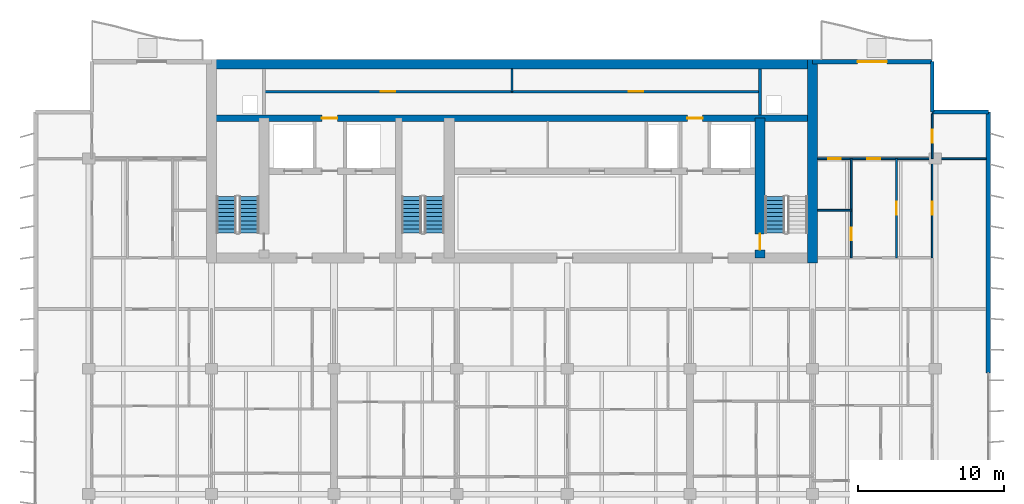
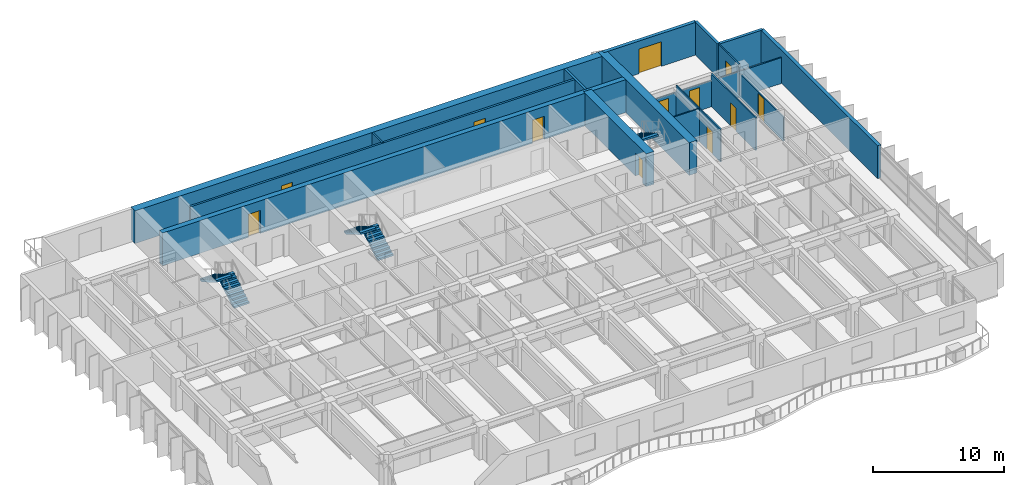
# One storey, part 14 of 19: 17 walls, 12 doors, 5 stair flights, 12 openings, 3 elements without a shape of their own.
"""IFC4 building model written with IfcOpenShell, lengths in metres."""

import ifcopenshell
import ifcopenshell.guid

model = None  # the IFC model being written
_history = None  # IfcOwnerHistory: only IFC2X3 demands one
_inside = {}  # id of a spatial element -> (the spatial element, [elements in it])
_under = {}  # id of a project, library or spatial element -> (it, [spatial elements below it])
_declared = {}  # id of a project -> (the project, [libraries it declares])
_typed = {}  # id of a type object -> (the type object, [elements of that type])
_made_of = {}  # id of a material, layer set ... -> (it, [elements and type objects made of it])


def new_model(schema):
    """Start an empty IFC model of exactly this schema.

    Asked for "IFC4X3", IfcOpenShell would pick the latest addendum, in which some entities
    have other attributes; the version numbers below select the first issue.
    IFC2X3 requires an IfcOwnerHistory on every rooted entity: one is made here for all.
    """
    global model, _history
    if schema == "IFC4X3":
        model = ifcopenshell.file(schema_version=(4, 3, 0, 0))
    else:
        model = ifcopenshell.file(schema=schema)
    _inside.clear()
    _under.clear()
    _declared.clear()
    _typed.clear()
    _made_of.clear()
    _history = None
    if model.schema == "IFC2X3":
        org = make("IfcOrganization", Name="unknown")
        user = make(
            "IfcPersonAndOrganization",
            ThePerson=make("IfcPerson", FamilyName="unknown"),
            TheOrganization=org,
        )
        app = make(
            "IfcApplication",
            ApplicationDeveloper=org,
            Version="unknown",
            ApplicationFullName="unknown",
            ApplicationIdentifier="unknown",
        )
        _history = make(
            "IfcOwnerHistory",
            OwningUser=user,
            OwningApplication=app,
            ChangeAction="ADDED",
            CreationDate=0,
        )
    return model


def make(cls, **values):
    """One entity of the class cls with the attributes given. An attribute that is None is left unset."""
    return model.create_entity(
        cls, **{name: value for name, value in values.items() if value is not None}
    )


def rooted(cls, **values):
    """An entity with a GlobalId (a new one), such as an element, a storey or a relation."""
    return make(cls, GlobalId=ifcopenshell.guid.new(), OwnerHistory=_history, **values)


def si_unit(unit_type, name, prefix=None):
    """IfcSIUnit, for example si_unit("LENGTHUNIT", "METRE", prefix="MILLI")."""
    return make("IfcSIUnit", UnitType=unit_type, Prefix=prefix, Name=name)


def assignment(units):
    """IfcUnitAssignment: the units of a project."""
    return None if units is None else make("IfcUnitAssignment", Units=units)


def point(xyz):
    """IfcCartesianPoint."""
    return None if xyz is None else make("IfcCartesianPoint", Coordinates=xyz)


def direction(xyz):
    """IfcDirection."""
    return None if xyz is None else make("IfcDirection", DirectionRatios=xyz)


def frame(location, z_axis=None, x_axis=None):
    """IfcAxis2Placement3D, a coordinate frame: its origin and axes. An axis left out is left unset."""
    return make(
        "IfcAxis2Placement3D",
        Location=point(location),
        Axis=direction(z_axis),
        RefDirection=direction(x_axis),
    )


def frame_2d(location, x_axis=None):
    """IfcAxis2Placement2D, a coordinate frame in the plane: its origin and x axis."""
    return make(
        "IfcAxis2Placement2D", Location=point(location), RefDirection=direction(x_axis)
    )


def origin():
    """The frame at (0, 0, 0) with its axes left unset."""
    return frame((0.0, 0.0, 0.0))


def place(relative_to, where):
    """IfcLocalPlacement: puts the frame where relative to a parent placement (None: the world)."""
    return make(
        "IfcLocalPlacement", PlacementRelTo=relative_to, RelativePlacement=where
    )


def context(
    kind, dimensions, precision=None, world=None, true_north=None, identifier=None
):
    """IfcGeometricRepresentationContext, for example the 3D "Model" context."""
    return make(
        "IfcGeometricRepresentationContext",
        ContextIdentifier=identifier,
        ContextType=kind,
        CoordinateSpaceDimension=dimensions,
        Precision=precision,
        WorldCoordinateSystem=world,
        TrueNorth=true_north,
    )


def subcontext(parent, identifier, kind, view, scale=None):
    """IfcGeometricRepresentationSubContext, for example "Body" below "Model"."""
    return make(
        "IfcGeometricRepresentationSubContext",
        ContextIdentifier=identifier,
        ContextType=kind,
        ParentContext=parent,
        TargetScale=scale,
        TargetView=view,
    )


def project(units=None, contexts=None):
    """IfcProject with its units and contexts."""
    return rooted(
        "IfcProject",
        Name="project",
        RepresentationContexts=contexts,
        UnitsInContext=assignment(units),
    )


def spatial(cls, under=None, at=None, **own):
    """A site, building, storey or space (cls), placed at a placement, below another one or the project."""
    s = rooted(cls, ObjectPlacement=at, **own)
    if under is not None:
        _under.setdefault(under.id(), (under, []))[1].append(s)
    return s


def polyline(points):
    """IfcPolyline through the points."""
    return make("IfcPolyline", Points=[point(p) for p in points])


def profile(cls, at=None, kind="AREA", **sizes):
    """A parametric profile (cls). Its sizes go by their IFC names, for example OverallWidth=200.0."""
    return make(cls, ProfileType=kind, Position=at, **sizes)


def rectangle(**sizes):
    """IfcRectangleProfileDef."""
    return profile("IfcRectangleProfileDef", **sizes)


def outline(outer, holes=None, kind="AREA"):
    """IfcArbitraryClosedProfileDef: a profile drawn as a closed curve; with holes, ...WithVoids."""
    if holes is None:
        return make("IfcArbitraryClosedProfileDef", ProfileType=kind, OuterCurve=outer)
    return make(
        "IfcArbitraryProfileDefWithVoids",
        ProfileType=kind,
        OuterCurve=outer,
        InnerCurves=holes,
    )


def extrude(swept, where, along, depth):
    """IfcExtrudedAreaSolid: the profile swept, set in the frame where, extruded along a direction by depth."""
    return make(
        "IfcExtrudedAreaSolid",
        SweptArea=swept,
        Position=where,
        ExtrudedDirection=direction(along),
        Depth=depth,
    )


def shape(context_of_items, identifier, shape_type, items):
    """IfcShapeRepresentation: the items that make up one representation, for example the "Body"."""
    return make(
        "IfcShapeRepresentation",
        ContextOfItems=context_of_items,
        RepresentationIdentifier=identifier,
        RepresentationType=shape_type,
        Items=items,
    )


def material(Name=None, Category=None):
    """IfcMaterial."""
    return make("IfcMaterial", Name=Name, Category=Category)


def layer(
    of_material, thickness, ventilated=None, Name=None, Category=None, Priority=None
):
    """IfcMaterialLayer: one layer of a wall or slab, of a material (None: an air gap)."""
    return make(
        "IfcMaterialLayer",
        Material=of_material,
        LayerThickness=thickness,
        IsVentilated=ventilated,
        Name=Name,
        Category=Category,
        Priority=Priority,
    )


def layer_set(layers, Name=None):
    """IfcMaterialLayerSet."""
    return make("IfcMaterialLayerSet", MaterialLayers=layers, LayerSetName=Name)


def made_of(thing, what):
    """Note that an element or type object is made of a material, layer set ...; save() writes the relation."""
    if what is not None:
        _made_of.setdefault(what.id(), (what, []))[1].append(thing)
    return thing


def type_object(cls, material=None, **own):
    """A type object (cls), such as IfcWallType, which elements share."""
    return made_of(rooted(cls, **own), material)


def element(
    cls,
    number,
    at=None,
    inside=None,
    cuts=None,
    type_object=None,
    material=None,
    context=None,
    identifier="Body",
    shape_type=None,
    held_by="IfcProductDefinitionShape",
    body=None,
    shapes=None,
    **own,
):
    """One element of the class cls, such as IfcWall. Its Tag is "e" and its number.

    at: its placement. inside: the storey or other place that contains it. cuts: it is an
    opening in that element (IfcRelVoidsElement). A single representation is given by context,
    identifier, shape_type and body (its items); several are given by shapes. held_by: the class
    of the entity that holds the representations. save() writes the other relations.
    """
    e = rooted(cls, Tag="e%d" % number, ObjectPlacement=at, **own)
    if body is not None:
        shapes = [shape(context, identifier, shape_type, body)]
    if shapes is not None:
        e.Representation = make(held_by, Representations=shapes)
    if inside is not None:
        _inside.setdefault(inside.id(), (inside, []))[1].append(e)
    if cuts is not None:
        rooted(
            "IfcRelVoidsElement", RelatingBuildingElement=cuts, RelatedOpeningElement=e
        )
    if type_object is not None:
        _typed.setdefault(type_object.id(), (type_object, []))[1].append(e)
    return made_of(e, material)


def fill(opening, filler):
    """IfcRelFillsElement: the door or window that sits in an opening."""
    return rooted(
        "IfcRelFillsElement",
        RelatingOpeningElement=opening,
        RelatedBuildingElement=filler,
    )


def aggregate(whole, parts):
    """IfcRelAggregates: a whole, such as a stair, and the parts it consists of."""
    return rooted("IfcRelAggregates", RelatingObject=whole, RelatedObjects=parts)


def save(model, path):
    """Write the relations noted so far, then the file.

    IfcRelAggregates (storeys below a building ...), IfcRelContainedInSpatialStructure (elements
    in a storey), IfcRelDefinesByType, IfcRelAssociatesMaterial and IfcRelDeclares: one each for
    every whole, place, type object, material and project.
    """
    for whole, parts in _under.values():
        aggregate(whole, parts)
    for where, things in _inside.values():
        rooted(
            "IfcRelContainedInSpatialStructure",
            RelatedElements=things,
            RelatingStructure=where,
        )
    for kind, things in _typed.values():
        rooted("IfcRelDefinesByType", RelatedObjects=things, RelatingType=kind)
    for what, things in _made_of.values():
        rooted("IfcRelAssociatesMaterial", RelatedObjects=things, RelatingMaterial=what)
    for by, libraries in _declared.values():
        rooted("IfcRelDeclares", RelatingContext=by, RelatedDefinitions=libraries)
    model.write(path)


model = new_model("IFC4")

# Units and contexts
model_context = context("Model", 3, precision=1e-05, world=origin(), true_north=direction((0.0, 1.0)))
body_context = subcontext(model_context, "Body", "Model", "MODEL_VIEW")
ifc_project = project(units=[si_unit("LENGTHUNIT", "METRE"), si_unit("AREAUNIT", "SQUARE_METRE"), si_unit("VOLUMEUNIT", "CUBIC_METRE"), si_unit("PLANEANGLEUNIT", "RADIAN"), si_unit("MASSUNIT", "GRAM", prefix="KILO")], contexts=[model_context])

# Site, building, storey
site_placement = place(None, origin())
site = spatial("IfcSite", under=ifc_project, at=site_placement, CompositionType="ELEMENT")
building_placement = place(site_placement, origin())
building = spatial("IfcBuilding", under=site, at=building_placement, Name="Caelmar Bay Residences", CompositionType="ELEMENT")
storey_placement = place(building_placement, frame((0.0, 0.0, 195.0)))
storey = spatial("IfcBuildingStorey", under=building, at=storey_placement, Name="L54", CompositionType="ELEMENT", Elevation=195.0)

# Wall
ifc_material_1 = material(Name="Concrete f'c 55 MPa (8,000 psi)", Category="concrete")
ifc_layer_1 = layer(ifc_material_1, 0.699951171875)
ifc_layer_set_1 = layer_set([ifc_layer_1], Name="Concrete f'c 55 MPa (8,000 psi)")
wall_type_1 = type_object("IfcWallType", Name="SW-COR-700", PredefinedType="SHEAR", material=ifc_layer_set_1)
wall_1_placement = place(storey_placement, frame((59.5, 36.64990234375, 0.0), z_axis=(0.0, 0.0, 1.0), x_axis=(0.0, 1.0, 0.0)))
element("IfcWall", 1, at=wall_1_placement, inside=storey, type_object=wall_type_1, Name="L54 Rear Core East Shear Wall", PredefinedType="SHEAR", context=body_context, shape_type="SweptSolid", body=[
    extrude(rectangle(XDim=13.9501953125, YDim=0.699951171875, at=frame_2d((6.97509765625, 0.0))), origin(), (0.0, 0.0, 1.0), 3.050048828125),
])

# Wall, opening, door
wall_2_placement = place(storey_placement, frame((55.89990234375, 37.0, 0.0), z_axis=(0.0, 0.0, 1.0), x_axis=(0.0, 1.0, 0.0)))
wall_2 = element("IfcWall", 2, at=wall_2_placement, inside=storey, type_object=wall_type_1, Name="L54 Core Structural Web Wall ST2W", PredefinedType="SHEAR", context=body_context, shape_type="SweptSolid", body=[
    extrude(rectangle(XDim=9.574951171875, YDim=0.699951171875, at=frame_2d((4.78759765625, 0.0))), origin(), (0.0, 0.0, 1.0), 3.050048828125),
])
opening_1_placement = place(wall_2_placement, frame((0.550048828125, 0.0, 0.0)))
opening_1 = element("IfcOpeningElement", 3, at=opening_1_placement, cuts=wall_2, Name="Opening D-L54-110", PredefinedType="OPENING", context=body_context, shape_type="SweptSolid", body=[
    extrude(rectangle(XDim=1.10009765625, YDim=2.14990234375, at=frame_2d((0.550048828125, 1.074951171875))), frame((0.0, 0.35986328125, 0.0), z_axis=(0.0, -1.0, 0.0), x_axis=(1.0, 0.0, 0.0)), (0.0, 0.0, 1.0), 0.719970703125),
])
ifc_material_2 = material(Name="Fire-rated steel and walnut architectural door assembly", Category="steel")
ifc_layer_2 = layer(ifc_material_2, 0.050048828125)
ifc_layer_set_2 = layer_set([ifc_layer_2], Name="Fire-rated steel and walnut architectural door assembly")
door_type_1 = type_object("IfcDoorType", Name="D-STAIR-1100", OperationType="NOTDEFINED", PredefinedType="DOOR", material=ifc_layer_set_2)
door_1_placement = place(opening_1_placement, origin())
door_1 = element("IfcDoor", 4, at=door_1_placement, inside=storey, type_object=door_type_1, Name="L54 Firefighting Lobby East Door", OperationType="SINGLE_SWING_RIGHT", OverallHeight=2.14990234375, OverallWidth=1.10009765625, PredefinedType="DOOR", context=body_context, shape_type="SweptSolid", body=[
    extrude(rectangle(XDim=1.10009765625, YDim=2.14990234375, at=frame_2d((0.550048828125, 1.074951171875))), frame((0.0, 0.02490234375, 0.0), z_axis=(0.0, -1.0, 0.0), x_axis=(1.0, 0.0, 0.0)), (0.0, 0.0, 1.0), 0.050048828125),
])
fill(opening_1, door_1)

# Wall
ifc_layer_3 = layer(ifc_material_1, 0.64990234375)
ifc_layer_set_3 = layer_set([ifc_layer_3], Name="Concrete f'c 55 MPa (8,000 psi)")
wall_type_2 = type_object("IfcWallType", Name="SW-CORN-650", PredefinedType="SHEAR", material=ifc_layer_set_3)
wall_3_placement = place(storey_placement, frame((17.949951171875, 50.27490234375, 0.0), z_axis=(0.0, 0.0, 1.0), x_axis=(1.0, 0.0, 0.0)))
element("IfcWall", 5, at=wall_3_placement, inside=storey, type_object=wall_type_2, Name="L54 Rear Core North Shear Wall", PredefinedType="SHEAR", context=body_context, shape_type="SweptSolid", body=[
    extrude(rectangle(XDim=41.900146484375, YDim=0.64990234375, at=frame_2d((20.9501953125, 0.0))), origin(), (0.0, 0.0, 1.0), 3.050048828125),
])

# Wall, openings, doors
ifc_material_3 = material(Name="Concrete f'c 70 MPa (10,000 psi)", Category="concrete")
ifc_layer_4 = layer(ifc_material_3, 0.449951171875)
ifc_layer_set_4 = layer_set([ifc_layer_4], Name="Concrete f'c 70 MPa (10,000 psi)")
wall_type_3 = type_object("IfcWallType", Name="SW-WEB-450", PredefinedType="SHEAR", material=ifc_layer_set_4)
wall_4_placement = place(storey_placement, frame((18.300048828125, 46.574951171875, 0.0), z_axis=(0.0, 0.0, 1.0), x_axis=(1.0, 0.0, 0.0)))
wall_4 = element("IfcWall", 6, at=wall_4_placement, inside=storey, type_object=wall_type_3, Name="L54 Core Structural Web Wall SRVS", PredefinedType="SHEAR", context=body_context, shape_type="SweptSolid", body=[
    extrude(rectangle(XDim=41.199951171875, YDim=0.449951171875, at=frame_2d((20.60009765625, 0.0))), origin(), (0.0, 0.0, 1.0), 3.050048828125),
])
opening_2_placement = place(wall_4_placement, frame((7.574951171875, 0.0, 0.0)))
opening_2 = element("IfcOpeningElement", 7, at=opening_2_placement, cuts=wall_4, Name="Opening D-L54-116", PredefinedType="OPENING", context=body_context, shape_type="SweptSolid", body=[
    extrude(rectangle(XDim=1.050048828125, YDim=2.14990234375, at=frame_2d((0.52490234375, 1.074951171875))), frame((0.0, 0.23486328125, 0.0), z_axis=(0.0, -1.0, 0.0), x_axis=(1.0, 0.0, 0.0)), (0.0, 0.0, 1.0), 0.469970703125),
])
opening_3_placement = place(wall_4_placement, frame((32.625, 0.0, 0.0)))
opening_3 = element("IfcOpeningElement", 8, at=opening_3_placement, cuts=wall_4, Name="Opening D-L54-117", PredefinedType="OPENING", context=body_context, shape_type="SweptSolid", body=[
    extrude(rectangle(XDim=1.050048828125, YDim=2.14990234375, at=frame_2d((0.52490234375, 1.074951171875))), frame((0.0, 0.23486328125, 0.0), z_axis=(0.0, -1.0, 0.0), x_axis=(1.0, 0.0, 0.0)), (0.0, 0.0, 1.0), 0.469970703125),
])
ifc_layer_5 = layer(ifc_material_2, 0.050048828125)
ifc_layer_set_5 = layer_set([ifc_layer_5], Name="Fire-rated steel and walnut architectural door assembly")
door_type_2 = type_object("IfcDoorType", Name="D-FSAE-1050", OperationType="NOTDEFINED", PredefinedType="DOOR", material=ifc_layer_set_5)
door_2_placement = place(opening_2_placement, origin())
door_2 = element("IfcDoor", 9, at=door_2_placement, inside=storey, type_object=door_type_2, Name="L54 Core Service Corridor Door", OperationType="SINGLE_SWING_RIGHT", OverallHeight=2.14990234375, OverallWidth=1.050048828125, PredefinedType="DOOR", context=body_context, shape_type="SweptSolid", body=[
    extrude(rectangle(XDim=1.050048828125, YDim=2.14990234375, at=frame_2d((0.52490234375, 1.074951171875))), frame((0.0, 0.02490234375, 0.0), z_axis=(0.0, -1.0, 0.0), x_axis=(1.0, 0.0, 0.0)), (0.0, 0.0, 1.0), 0.050048828125),
])
fill(opening_2, door_2)
door_3_placement = place(opening_3_placement, origin())
door_3 = element("IfcDoor", 10, at=door_3_placement, inside=storey, type_object=door_type_2, Name="L54 Core Service Corridor Door", OperationType="SINGLE_SWING_LEFT", OverallHeight=2.14990234375, OverallWidth=1.050048828125, PredefinedType="DOOR", context=body_context, shape_type="SweptSolid", body=[
    extrude(rectangle(XDim=1.050048828125, YDim=2.14990234375, at=frame_2d((0.52490234375, 1.074951171875))), frame((0.0, 0.02490234375, 0.0), z_axis=(0.0, -1.0, 0.0), x_axis=(1.0, 0.0, 0.0)), (0.0, 0.0, 1.0), 0.050048828125),
])
fill(opening_3, door_3)

ifc_material_4 = material(Name="Double-stud acoustic fire-rated gypsum partition 180 mm")
ifc_layer_6 = layer(ifc_material_4, 0.179931640625)
ifc_layer_set_6 = layer_set([ifc_layer_6], Name="Double-stud acoustic fire-rated gypsum partition 180 mm")
wall_type_4 = type_object("IfcWallType", Name="W-COR-200", PredefinedType="PARTITIONING", material=ifc_layer_set_6)
wall_5_placement = place(storey_placement, frame((21.89990234375, 48.39990234375, 0.0), z_axis=(0.0, 0.0, 1.0), x_axis=(1.0, 0.0, 0.0)))
wall_5 = element("IfcWall", 11, at=wall_5_placement, inside=storey, type_object=wall_type_4, Name="L54 Partition Wall H126", PredefinedType="PARTITIONING", context=body_context, shape_type="SweptSolid", body=[
    extrude(rectangle(XDim=34.0, YDim=0.179931640625, at=frame_2d((17.0, 0.0))), origin(), (0.0, 0.0, 1.0), 3.050048828125),
])
opening_4_placement = place(wall_5_placement, frame((8.0, 0.0, 0.0)))
opening_4 = element("IfcOpeningElement", 12, at=opening_4_placement, cuts=wall_5, Name="Opening D-L54-118", PredefinedType="OPENING", context=body_context, shape_type="SweptSolid", body=[
    extrude(rectangle(XDim=1.0, YDim=2.199951171875, at=frame_2d((0.5, 1.10009765625))), frame((0.0, 0.099853515625, 0.0), z_axis=(0.0, -1.0, 0.0), x_axis=(1.0, 0.0, 0.0)), (0.0, 0.0, 1.0), 0.199951171875),
])
opening_5_placement = place(wall_5_placement, frame((25.0, 0.0, 0.0)))
opening_5 = element("IfcOpeningElement", 13, at=opening_5_placement, cuts=wall_5, Name="Opening D-L54-119", PredefinedType="OPENING", context=body_context, shape_type="SweptSolid", body=[
    extrude(rectangle(XDim=1.0, YDim=2.199951171875, at=frame_2d((0.5, 1.10009765625))), frame((0.0, 0.099853515625, 0.0), z_axis=(0.0, -1.0, 0.0), x_axis=(1.0, 0.0, 0.0)), (0.0, 0.0, 1.0), 0.199951171875),
])
ifc_layer_7 = layer(ifc_material_2, 0.050048828125)
ifc_layer_set_7 = layer_set([ifc_layer_7], Name="Fire-rated steel and walnut architectural door assembly")
door_type_3 = type_object("IfcDoorType", Name="D-UNIT-1000", OperationType="NOTDEFINED", PredefinedType="DOOR", material=ifc_layer_set_7)
door_4_placement = place(opening_4_placement, origin())
door_4 = element("IfcDoor", 14, at=door_4_placement, inside=storey, type_object=door_type_3, Name="L54 Building Management Office Door", OperationType="SINGLE_SWING_RIGHT", OverallHeight=2.199951171875, OverallWidth=1.0, PredefinedType="DOOR", context=body_context, shape_type="SweptSolid", body=[
    extrude(rectangle(XDim=1.0, YDim=2.199951171875, at=frame_2d((0.5, 1.10009765625))), frame((0.0, 0.02490234375, 0.0), z_axis=(0.0, -1.0, 0.0), x_axis=(1.0, 0.0, 0.0)), (0.0, 0.0, 1.0), 0.050048828125),
])
fill(opening_4, door_4)
door_5_placement = place(opening_5_placement, origin())
door_5 = element("IfcDoor", 15, at=door_5_placement, inside=storey, type_object=door_type_3, Name="L54 Concierge Operations Office Door", OperationType="SINGLE_SWING_LEFT", OverallHeight=2.199951171875, OverallWidth=1.0, PredefinedType="DOOR", context=body_context, shape_type="SweptSolid", body=[
    extrude(rectangle(XDim=1.0, YDim=2.199951171875, at=frame_2d((0.5, 1.10009765625))), frame((0.0, 0.02490234375, 0.0), z_axis=(0.0, -1.0, 0.0), x_axis=(1.0, 0.0, 0.0)), (0.0, 0.0, 1.0), 0.050048828125),
])
fill(opening_5, door_5)

# Walls
ifc_material_5 = material(Name="Precast concrete f'c 40 MPa (6,000 psi)", Category="concrete")
ifc_layer_8 = layer(ifc_material_5, 0.25)
ifc_layer_set_8 = layer_set([ifc_layer_8], Name="Precast concrete f'c 40 MPa (6,000 psi)")
wall_type_5 = type_object("IfcWallType", Name="W-EXT-250", PredefinedType="ELEMENTEDWALL", material=ifc_layer_set_8)
wall_6_placement = place(storey_placement, frame((67.699951171875, 50.449951171875, 0.0), z_axis=(0.0, 0.0, 1.0), x_axis=(0.0, -1.0, 0.0)))
element("IfcWall", 16, at=wall_6_placement, inside=storey, type_object=wall_type_5, Name="L54 NNE-V Notch Wall", PredefinedType="ELEMENTEDWALL", context=body_context, shape_type="SweptSolid", body=[
    extrude(rectangle(XDim=3.449951171875, YDim=0.25, at=frame_2d((1.72509765625, 0.0))), origin(), (0.0, 0.0, 1.0), 3.050048828125),
])
wall_7_placement = place(storey_placement, frame((67.699951171875, 47.0, 0.0), z_axis=(0.0, 0.0, 1.0), x_axis=(1.0, 0.0, 0.0)))
element("IfcWall", 17, at=wall_7_placement, inside=storey, type_object=wall_type_5, Name="L54 NNE-H Notch Wall", PredefinedType="ELEMENTEDWALL", context=body_context, shape_type="SweptSolid", body=[
    extrude(rectangle(XDim=3.85009765625, YDim=0.25, at=frame_2d((1.925048828125, 0.0))), origin(), (0.0, 0.0, 1.0), 3.050048828125),
])
ifc_layer_9 = layer(ifc_material_5, 0.300048828125)
ifc_layer_set_9 = layer_set([ifc_layer_9], Name="Precast concrete f'c 40 MPa (6,000 psi)")
wall_type_6 = type_object("IfcWallType", Name="W-EXT-300", PredefinedType="STANDARD", material=ifc_layer_set_9)
wall_8_placement = place(storey_placement, frame((71.550048828125, 47.0, 0.0), z_axis=(0.0, 0.0, 1.0), x_axis=(0.0, -1.0, 0.0)))
element("IfcWall", 18, at=wall_8_placement, inside=storey, type_object=wall_type_6, Name="L54 East Rear Exterior Wall", PredefinedType="STANDARD", context=body_context, shape_type="SweptSolid", body=[
    extrude(rectangle(XDim=17.89990234375, YDim=0.300048828125, at=frame_2d((8.949951171875, 0.0))), origin(), (0.0, 0.0, 1.0), 3.050048828125),
])

# Wall, opening, door
wall_9_placement = place(storey_placement, frame((59.5, 50.449951171875, 0.0), z_axis=(0.0, 0.0, 1.0), x_axis=(1.0, 0.0, 0.0)))
wall_9 = element("IfcWall", 19, at=wall_9_placement, inside=storey, type_object=wall_type_6, Name="L54 North-East Wing Exterior Wall", PredefinedType="STANDARD", context=body_context, shape_type="SweptSolid", body=[
    extrude(rectangle(XDim=8.199951171875, YDim=0.300048828125, at=frame_2d((4.10009765625, 0.0))), origin(), (0.0, 0.0, 1.0), 3.050048828125),
])
opening_6_placement = place(wall_9_placement, frame((3.10009765625, 0.0, 0.0)))
opening_6 = element("IfcOpeningElement", 20, at=opening_6_placement, cuts=wall_9, Name="Opening L54-BDNE", PredefinedType="OPENING", context=body_context, shape_type="SweptSolid", body=[
    extrude(rectangle(XDim=2.0, YDim=2.300048828125, at=frame_2d((1.0, 1.14990234375))), frame((0.0, 0.159912109375, 0.0), z_axis=(0.0, -1.0, 0.0), x_axis=(1.0, 0.0, 0.0)), (0.0, 0.0, 1.0), 0.320068359375),
])
ifc_material_6 = material(Name="Anodised bronze thermally broken sliding glass door", Category="glass")
ifc_layer_10 = layer(ifc_material_6, 0.050048828125)
ifc_layer_set_10 = layer_set([ifc_layer_10], Name="Anodised bronze thermally broken sliding glass door")
door_type_4 = type_object("IfcDoorType", Name="D-BAL-2000", OperationType="DOUBLE_DOOR_SLIDING", PredefinedType="DOOR", material=ifc_layer_set_10)
door_6_placement = place(opening_6_placement, origin())
door_6 = element("IfcDoor", 21, at=door_6_placement, inside=storey, type_object=door_type_4, Name="L54 North-East Balcony Door", OperationType="DOUBLE_DOOR_SLIDING", OverallHeight=2.300048828125, OverallWidth=2.0, PredefinedType="DOOR", context=body_context, shape_type="SweptSolid", body=[
    extrude(rectangle(XDim=2.0, YDim=2.300048828125, at=frame_2d((1.0, 1.14990234375))), frame((0.0, 0.02490234375, 0.0), z_axis=(0.0, -1.0, 0.0), x_axis=(1.0, 0.0, 0.0)), (0.0, 0.0, 1.0), 0.050048828125),
])
fill(opening_6, door_6)

# Wall
ifc_material_7 = material(Name="Fire-rated masonry and gypsum shaftliner assembly 200 mm", Category="masonry")
ifc_layer_11 = layer(ifc_material_7, 0.199951171875)
ifc_layer_set_11 = layer_set([ifc_layer_11], Name="Fire-rated masonry and gypsum shaftliner assembly 200 mm")
wall_type_7 = type_object("IfcWallType", Name="W-FSAE-200", PredefinedType="PARTITIONING", material=ifc_layer_set_11)
wall_10_placement = place(storey_placement, frame((55.89990234375, 46.794921875, 0.0), z_axis=(0.0, 0.0, 1.0), x_axis=(0.0, 1.0, 0.0)))
element("IfcWall", 22, at=wall_10_placement, inside=storey, type_object=wall_type_7, Name="L54 Partition Wall V072", PredefinedType="PARTITIONING", context=body_context, shape_type="SweptSolid", body=[
    extrude(rectangle(XDim=3.16015625, YDim=0.199951171875, at=frame_2d((1.580078125, 0.0))), origin(), (0.0, 0.0, 1.0), 3.050048828125),
])

# Wall, opening, door
ifc_material_8 = material(Name="Anodised bronze framed acoustic sliding study partition 100 mm")
ifc_layer_12 = layer(ifc_material_8, 0.10009765625)
ifc_layer_set_12 = layer_set([ifc_layer_12], Name="Anodised bronze framed acoustic sliding study partition 100 mm")
wall_type_8 = type_object("IfcWallType", Name="W-MOV-100", PredefinedType="MOVABLE", material=ifc_layer_set_12)
wall_11_placement = place(storey_placement, frame((67.699951171875, 37.0048828125, 0.0), z_axis=(0.0, 0.0, 1.0), x_axis=(0.0, 1.0, 0.0)))
wall_11 = element("IfcWall", 23, at=wall_11_placement, inside=storey, type_object=wall_type_8, Name="L54 Partition Wall V098", PredefinedType="MOVABLE", context=body_context, shape_type="SweptSolid", body=[
    extrude(rectangle(XDim=6.795166015625, YDim=0.10009765625, at=frame_2d((3.3974609375, 0.0))), origin(), (0.0, 0.0, 1.0), 2.262939453125),
])
opening_7_placement = place(wall_11_placement, frame((2.947509765625, 0.0, 0.0)))
opening_7 = element("IfcOpeningElement", 24, at=opening_7_placement, cuts=wall_11, Name="Opening D-L54-171", PredefinedType="OPENING", context=body_context, shape_type="SweptSolid", body=[
    extrude(rectangle(XDim=0.89990234375, YDim=2.14990234375, at=frame_2d((0.449951171875, 1.074951171875))), frame((0.0, 0.06005859375, 0.0), z_axis=(0.0, -1.0, 0.0), x_axis=(1.0, 0.0, 0.0)), (0.0, 0.0, 1.0), 0.1201171875),
])
ifc_material_9 = material(Name="Solid walnut timber interior door leaf and frame", Category="wood")
ifc_layer_13 = layer(ifc_material_9, 0.050048828125)
ifc_layer_set_13 = layer_set([ifc_layer_13], Name="Solid walnut timber interior door leaf and frame")
door_type_5 = type_object("IfcDoorType", Name="D-ROOM-900", OperationType="NOTDEFINED", PredefinedType="DOOR", material=ifc_layer_set_13)
door_7_placement = place(opening_7_placement, origin())
door_7 = element("IfcDoor", 25, at=door_7_placement, inside=storey, type_object=door_type_5, Name="L54 Residence EA Sun Study Door", OperationType="SINGLE_SWING_LEFT", OverallHeight=2.14990234375, OverallWidth=0.89990234375, PredefinedType="DOOR", context=body_context, shape_type="SweptSolid", body=[
    extrude(rectangle(XDim=0.89990234375, YDim=2.14990234375, at=frame_2d((0.449951171875, 1.074951171875))), frame((0.0, 0.02490234375, 0.0), z_axis=(0.0, -1.0, 0.0), x_axis=(1.0, 0.0, 0.0)), (0.0, 0.0, 1.0), 0.050048828125),
])
fill(opening_7, door_7)

# Wall
ifc_material_10 = material(Name="Acoustic metal-stud gypsum partition 120 mm")
ifc_layer_14 = layer(ifc_material_10, 0.1201171875)
ifc_layer_set_14 = layer_set([ifc_layer_14], Name="Acoustic metal-stud gypsum partition 120 mm")
wall_type_9 = type_object("IfcWallType", Name="W-PRT-120", PredefinedType="PARTITIONING", material=ifc_layer_set_14)
wall_12_placement = place(storey_placement, frame((38.89990234375, 48.39990234375, 0.0), z_axis=(0.0, 0.0, 1.0), x_axis=(0.0, 1.0, 0.0)))
element("IfcWall", 26, at=wall_12_placement, inside=storey, type_object=wall_type_9, Name="L54 Partition Wall V045", PredefinedType="PARTITIONING", context=body_context, shape_type="SweptSolid", body=[
    extrude(rectangle(XDim=1.55517578125, YDim=0.1201171875, at=frame_2d((0.777587890625, 0.0))), origin(), (0.0, 0.0, 1.0), 3.050048828125),
])

# Wall, opening, door
wall_13_placement = place(storey_placement, frame((62.14990234375, 37.0, 0.0), z_axis=(0.0, 0.0, 1.0), x_axis=(0.0, 1.0, 0.0)))
wall_13 = element("IfcWall", 27, at=wall_13_placement, inside=storey, type_object=wall_type_9, Name="L54 Partition Wall V081", PredefinedType="PARTITIONING", context=body_context, shape_type="SweptSolid", body=[
    extrude(rectangle(XDim=6.800048828125, YDim=0.1201171875, at=frame_2d((3.39990234375, 0.0))), origin(), (0.0, 0.0, 1.0), 3.050048828125),
])
opening_8_placement = place(wall_13_placement, frame((1.20703125, 0.0, 0.0)))
opening_8 = element("IfcOpeningElement", 28, at=opening_8_placement, cuts=wall_13, Name="Opening D-L54-169", PredefinedType="OPENING", context=body_context, shape_type="SweptSolid", body=[
    extrude(rectangle(XDim=0.85009765625, YDim=2.10009765625, at=frame_2d((0.425048828125, 1.050048828125))), frame((0.0, 0.070068359375, 0.0), z_axis=(0.0, -1.0, 0.0), x_axis=(1.0, 0.0, 0.0)), (0.0, 0.0, 1.0), 0.14013671875),
])
ifc_layer_15 = layer(ifc_material_9, 0.050048828125)
ifc_layer_set_15 = layer_set([ifc_layer_15], Name="Solid walnut timber interior door leaf and frame")
door_type_6 = type_object("IfcDoorType", Name="D-BATH-850", OperationType="NOTDEFINED", PredefinedType="DOOR", material=ifc_layer_set_15)
door_8_placement = place(opening_8_placement, origin())
door_8 = element("IfcDoor", 29, at=door_8_placement, inside=storey, type_object=door_type_6, Name="L54 Residence EA Walk-In Closet Door", OperationType="SINGLE_SWING_LEFT", OverallHeight=2.10009765625, OverallWidth=0.85009765625, PredefinedType="DOOR", context=body_context, shape_type="SweptSolid", body=[
    extrude(rectangle(XDim=0.85009765625, YDim=2.10009765625, at=frame_2d((0.425048828125, 1.050048828125))), frame((0.0, 0.02490234375, 0.0), z_axis=(0.0, -1.0, 0.0), x_axis=(1.0, 0.0, 0.0)), (0.0, 0.0, 1.0), 0.050048828125),
])
fill(opening_8, door_8)

wall_14_placement = place(storey_placement, frame((65.258056640625, 37.0, 0.0), z_axis=(0.0, 0.0, 1.0), x_axis=(0.0, 1.0, 0.0)))
wall_14 = element("IfcWall", 30, at=wall_14_placement, inside=storey, type_object=wall_type_9, Name="L54 Partition Wall V088", PredefinedType="PARTITIONING", context=body_context, shape_type="SweptSolid", body=[
    extrude(rectangle(XDim=6.800048828125, YDim=0.1201171875, at=frame_2d((3.39990234375, 0.0))), origin(), (0.0, 0.0, 1.0), 3.050048828125),
])
opening_9_placement = place(wall_14_placement, frame((2.949951171875, 0.0, 0.0)))
opening_9 = element("IfcOpeningElement", 31, at=opening_9_placement, cuts=wall_14, Name="Opening D-L54-166", PredefinedType="OPENING", context=body_context, shape_type="SweptSolid", body=[
    extrude(rectangle(XDim=0.89990234375, YDim=2.14990234375, at=frame_2d((0.449951171875, 1.074951171875))), frame((0.0, 0.070068359375, 0.0), z_axis=(0.0, -1.0, 0.0), x_axis=(1.0, 0.0, 0.0)), (0.0, 0.0, 1.0), 0.14013671875),
])
door_9_placement = place(opening_9_placement, origin())
door_9 = element("IfcDoor", 32, at=door_9_placement, inside=storey, type_object=door_type_5, Name="L54 Residence EA Dining Room Door", OperationType="SINGLE_SWING_RIGHT", OverallHeight=2.14990234375, OverallWidth=0.89990234375, PredefinedType="DOOR", context=body_context, shape_type="SweptSolid", body=[
    extrude(rectangle(XDim=0.89990234375, YDim=2.14990234375, at=frame_2d((0.449951171875, 1.074951171875))), frame((0.0, 0.02490234375, 0.0), z_axis=(0.0, -1.0, 0.0), x_axis=(1.0, 0.0, 0.0)), (0.0, 0.0, 1.0), 0.050048828125),
])
fill(opening_9, door_9)

wall_15_placement = place(storey_placement, frame((67.699951171875, 43.804931640625, 0.0), z_axis=(0.0, 0.0, 1.0), x_axis=(0.0, 1.0, 0.0)))
wall_15 = element("IfcWall", 33, at=wall_15_placement, inside=storey, type_object=wall_type_9, Name="L54 Partition Wall V099", PredefinedType="PARTITIONING", context=body_context, shape_type="SweptSolid", body=[
    extrude(rectangle(XDim=3.074951171875, YDim=0.1201171875, at=frame_2d((1.53759765625, 0.0))), origin(), (0.0, 0.0, 1.0), 3.050048828125),
])
opening_10_placement = place(wall_15_placement, frame((1.08740234375, 0.0, 0.0)))
opening_10 = element("IfcOpeningElement", 34, at=opening_10_placement, cuts=wall_15, Name="Opening D-L54-172", PredefinedType="OPENING", context=body_context, shape_type="SweptSolid", body=[
    extrude(rectangle(XDim=0.89990234375, YDim=2.14990234375, at=frame_2d((0.449951171875, 1.074951171875))), frame((0.0, 0.070068359375, 0.0), z_axis=(0.0, -1.0, 0.0), x_axis=(1.0, 0.0, 0.0)), (0.0, 0.0, 1.0), 0.14013671875),
])
door_10_placement = place(opening_10_placement, origin())
door_10 = element("IfcDoor", 35, at=door_10_placement, inside=storey, type_object=door_type_5, Name="L54 Residence EA North Sitting Alcove Door", OperationType="SINGLE_SWING_RIGHT", OverallHeight=2.14990234375, OverallWidth=0.89990234375, PredefinedType="DOOR", context=body_context, shape_type="SweptSolid", body=[
    extrude(rectangle(XDim=0.89990234375, YDim=2.14990234375, at=frame_2d((0.449951171875, 1.074951171875))), frame((0.0, 0.02490234375, 0.0), z_axis=(0.0, -1.0, 0.0), x_axis=(1.0, 0.0, 0.0)), (0.0, 0.0, 1.0), 0.050048828125),
])
fill(opening_10, door_10)

# Wall
wall_16_placement = place(storey_placement, frame((59.844970703125, 40.263916015625, 0.0), z_axis=(0.0, 0.0, 1.0), x_axis=(1.0, 0.0, 0.0)))
element("IfcWall", 36, at=wall_16_placement, inside=storey, type_object=wall_type_9, Name="L54 Partition Wall H123", PredefinedType="PARTITIONING", context=body_context, shape_type="SweptSolid", body=[
    extrude(rectangle(XDim=2.304931640625, YDim=0.1201171875, at=frame_2d((1.15234375, 0.0))), origin(), (0.0, 0.0, 1.0), 3.050048828125),
])

# Wall, openings, doors
wall_17_placement = place(storey_placement, frame((59.844970703125, 43.800048828125, 0.0), z_axis=(0.0, 0.0, 1.0), x_axis=(1.0, 0.0, 0.0)))
wall_17 = element("IfcWall", 37, at=wall_17_placement, inside=storey, type_object=wall_type_9, Name="L54 Partition Wall H125", PredefinedType="PARTITIONING", context=body_context, shape_type="SweptSolid", body=[
    extrude(rectangle(XDim=11.56005859375, YDim=0.1201171875, at=frame_2d((5.780029296875, 0.0))), origin(), (0.0, 0.0, 1.0), 2.41796875),
])
opening_11_placement = place(wall_17_placement, frame((3.408935546875, 0.0, 0.0)))
opening_11 = element("IfcOpeningElement", 38, at=opening_11_placement, cuts=wall_17, Name="Opening D-L54-168", PredefinedType="OPENING", context=body_context, shape_type="SweptSolid", body=[
    extrude(rectangle(XDim=0.89990234375, YDim=2.14990234375, at=frame_2d((0.449951171875, 1.074951171875))), frame((0.0, 0.070068359375, 0.0), z_axis=(0.0, -1.0, 0.0), x_axis=(1.0, 0.0, 0.0)), (0.0, 0.0, 1.0), 0.14013671875),
])
opening_12_placement = place(wall_17_placement, frame((0.7275390625, 0.0, 0.0)))
opening_12 = element("IfcOpeningElement", 39, at=opening_12_placement, cuts=wall_17, Name="Opening D-L54-170", PredefinedType="OPENING", context=body_context, shape_type="SweptSolid", body=[
    extrude(rectangle(XDim=0.85009765625, YDim=2.10009765625, at=frame_2d((0.425048828125, 1.050048828125))), frame((0.0, 0.070068359375, 0.0), z_axis=(0.0, -1.0, 0.0), x_axis=(1.0, 0.0, 0.0)), (0.0, 0.0, 1.0), 0.14013671875),
])
door_11_placement = place(opening_12_placement, origin())
door_11 = element("IfcDoor", 40, at=door_11_placement, inside=storey, type_object=door_type_6, Name="L54 Residence EA Bathroom Door", OperationType="SINGLE_SWING_RIGHT", OverallHeight=2.10009765625, OverallWidth=0.85009765625, PredefinedType="DOOR", context=body_context, shape_type="SweptSolid", body=[
    extrude(rectangle(XDim=0.85009765625, YDim=2.10009765625, at=frame_2d((0.425048828125, 1.050048828125))), frame((0.0, 0.02490234375, 0.0), z_axis=(0.0, -1.0, 0.0), x_axis=(1.0, 0.0, 0.0)), (0.0, 0.0, 1.0), 0.050048828125),
])
fill(opening_12, door_11)
door_12_placement = place(opening_11_placement, origin())
door_12 = element("IfcDoor", 41, at=door_12_placement, inside=storey, type_object=door_type_5, Name="L54 Residence EA Studio Living and Sleeping Room Door", OperationType="SINGLE_SWING_RIGHT", OverallHeight=2.14990234375, OverallWidth=0.89990234375, PredefinedType="DOOR", context=body_context, shape_type="SweptSolid", body=[
    extrude(rectangle(XDim=0.89990234375, YDim=2.14990234375, at=frame_2d((0.449951171875, 1.074951171875))), frame((0.0, 0.02490234375, 0.0), z_axis=(0.0, -1.0, 0.0), x_axis=(1.0, 0.0, 0.0)), (0.0, 0.0, 1.0), 0.050048828125),
])
fill(opening_11, door_12)

# Stair, stair flights
ifc_material_11 = material(Name="Concrete f'c 40 MPa (6,000 psi)", Category="concrete")
stair_type = type_object("IfcStairType", Name="ST-TYP-165", PredefinedType="HALF_TURN_STAIR", material=ifc_material_11)
stair_1_placement = place(storey_placement, origin())
stair_1 = element("IfcStair", 42, at=stair_1_placement, inside=storey, type_object=stair_type, Name="L54 West Smokeproof Exit Stair ST1", PredefinedType="HALF_TURN_STAIR")
stair_flight_type = type_object("IfcStairFlightType", Name="STF-1350", PredefinedType="STRAIGHT", material=ifc_material_11)
stair_flight_1_placement = place(storey_placement, frame((20.875, 38.699951171875, 0.0), z_axis=(0.0, 0.0, 1.0), x_axis=(0.0, 1.0, 0.0)))
stair_flight_1 = element("IfcStairFlight", 43, at=stair_flight_1_placement, type_object=stair_flight_type, Name="ST1 flight 1", NumberOfRisers=10, NumberOfTreads=9, PredefinedType="STRAIGHT", RiserHeight=0.165, TreadLength=0.28, context=body_context, shape_type="SweptSolid", body=[
    extrude(outline(polyline([(0.0, 0.0), (0.0, 0.1650390625), (0.280029296875, 0.1650390625), (0.280029296875, 0.330078125), (0.56005859375, 0.330078125), (0.56005859375, 0.4951171875), (0.840087890625, 0.4951171875), (0.840087890625, 0.659912109375), (1.1201171875, 0.659912109375), (1.1201171875, 0.824951171875), (1.39990234375, 0.824951171875), (1.39990234375, 0.989990234375), (1.679931640625, 0.989990234375), (1.679931640625, 1.155029296875), (1.9599609375, 1.155029296875), (1.9599609375, 1.320068359375), (2.239990234375, 1.320068359375), (2.239990234375, 1.485107421875), (2.52001953125, 1.485107421875), (2.52001953125, 1.64990234375), (2.52001953125, 1.31103515625), (0.295166015625, 0.0), (0.0, 0.0)])), frame((0.0, 0.675048828125, 0.0), z_axis=(0.0, -1.0, 0.0), x_axis=(1.0, 0.0, 0.0)), (0.0, 0.0, 1.0), 1.35009765625),
])
stair_flight_2_placement = place(storey_placement, frame((19.324951171875, 41.219970703125, 1.64990234375), z_axis=(0.0, 0.0, 1.0), x_axis=(0.0, -1.0, 0.0)))
stair_flight_2 = element("IfcStairFlight", 44, at=stair_flight_2_placement, type_object=stair_flight_type, Name="ST1 flight 2", NumberOfRisers=10, NumberOfTreads=9, PredefinedType="STRAIGHT", RiserHeight=0.165, TreadLength=0.28, context=body_context, shape_type="SweptSolid", body=[
    extrude(outline(polyline([(0.0, 0.0), (0.0, 0.1650390625), (0.280029296875, 0.1650390625), (0.280029296875, 0.330078125), (0.56005859375, 0.330078125), (0.56005859375, 0.4951171875), (0.840087890625, 0.4951171875), (0.840087890625, 0.659912109375), (1.1201171875, 0.659912109375), (1.1201171875, 0.824951171875), (1.39990234375, 0.824951171875), (1.39990234375, 0.989990234375), (1.679931640625, 0.989990234375), (1.679931640625, 1.155029296875), (1.9599609375, 1.155029296875), (1.9599609375, 1.320068359375), (2.239990234375, 1.320068359375), (2.239990234375, 1.485107421875), (2.52001953125, 1.485107421875), (2.52001953125, 1.64990234375), (2.52001953125, 1.31103515625), (0.295166015625, 0.0), (0.0, 0.0)])), frame((0.0, 0.675048828125, 0.0), z_axis=(0.0, -1.0, 0.0), x_axis=(1.0, 0.0, 0.0)), (0.0, 0.0, 1.0), 1.35009765625),
])
aggregate(stair_1, [stair_flight_1, stair_flight_2])

# Stair, stair flight
stair_2_placement = place(storey_placement, origin())
stair_2 = element("IfcStair", 45, at=stair_2_placement, inside=storey, type_object=stair_type, Name="L54 East Smokeproof Exit Stair ST2", PredefinedType="HALF_TURN_STAIR")
stair_flight_3_placement = place(storey_placement, frame((56.925048828125, 41.219970703125, 1.64990234375), z_axis=(0.0, 0.0, 1.0), x_axis=(0.0, -1.0, 0.0)))
stair_flight_3 = element("IfcStairFlight", 46, at=stair_flight_3_placement, type_object=stair_flight_type, Name="ST2 flight 2", NumberOfRisers=10, NumberOfTreads=9, PredefinedType="STRAIGHT", RiserHeight=0.165, TreadLength=0.28, context=body_context, shape_type="SweptSolid", body=[
    extrude(outline(polyline([(0.0, 0.0), (0.0, 0.1650390625), (0.280029296875, 0.1650390625), (0.280029296875, 0.330078125), (0.56005859375, 0.330078125), (0.56005859375, 0.4951171875), (0.840087890625, 0.4951171875), (0.840087890625, 0.659912109375), (1.1201171875, 0.659912109375), (1.1201171875, 0.824951171875), (1.39990234375, 0.824951171875), (1.39990234375, 0.989990234375), (1.679931640625, 0.989990234375), (1.679931640625, 1.155029296875), (1.9599609375, 1.155029296875), (1.9599609375, 1.320068359375), (2.239990234375, 1.320068359375), (2.239990234375, 1.485107421875), (2.52001953125, 1.485107421875), (2.52001953125, 1.64990234375), (2.52001953125, 1.31103515625), (0.295166015625, 0.0), (0.0, 0.0)])), frame((0.0, 0.675048828125, 0.0), z_axis=(0.0, -1.0, 0.0), x_axis=(1.0, 0.0, 0.0)), (0.0, 0.0, 1.0), 1.35009765625),
])
aggregate(stair_2, [stair_flight_3])

# Stair, stair flights
stair_3_placement = place(storey_placement, origin())
stair_3 = element("IfcStair", 47, at=stair_3_placement, inside=storey, type_object=stair_type, Name="L54 Central Smokeproof Exit Stair ST3", PredefinedType="HALF_TURN_STAIR")
stair_flight_4_placement = place(storey_placement, frame((33.574951171875, 38.699951171875, 0.0), z_axis=(0.0, 0.0, 1.0), x_axis=(0.0, 1.0, 0.0)))
stair_flight_4 = element("IfcStairFlight", 48, at=stair_flight_4_placement, type_object=stair_flight_type, Name="ST3 flight 1", NumberOfRisers=10, NumberOfTreads=9, PredefinedType="STRAIGHT", RiserHeight=0.165, TreadLength=0.28, context=body_context, shape_type="SweptSolid", body=[
    extrude(outline(polyline([(0.0, 0.0), (0.0, 0.1650390625), (0.280029296875, 0.1650390625), (0.280029296875, 0.330078125), (0.56005859375, 0.330078125), (0.56005859375, 0.4951171875), (0.840087890625, 0.4951171875), (0.840087890625, 0.659912109375), (1.1201171875, 0.659912109375), (1.1201171875, 0.824951171875), (1.39990234375, 0.824951171875), (1.39990234375, 0.989990234375), (1.679931640625, 0.989990234375), (1.679931640625, 1.155029296875), (1.9599609375, 1.155029296875), (1.9599609375, 1.320068359375), (2.239990234375, 1.320068359375), (2.239990234375, 1.485107421875), (2.52001953125, 1.485107421875), (2.52001953125, 1.64990234375), (2.52001953125, 1.31103515625), (0.295166015625, 0.0), (0.0, 0.0)])), frame((0.0, 0.675048828125, 0.0), z_axis=(0.0, -1.0, 0.0), x_axis=(1.0, 0.0, 0.0)), (0.0, 0.0, 1.0), 1.35009765625),
])
stair_flight_5_placement = place(storey_placement, frame((32.02490234375, 41.219970703125, 1.64990234375), z_axis=(0.0, 0.0, 1.0), x_axis=(0.0, -1.0, 0.0)))
stair_flight_5 = element("IfcStairFlight", 49, at=stair_flight_5_placement, type_object=stair_flight_type, Name="ST3 flight 2", NumberOfRisers=10, NumberOfTreads=9, PredefinedType="STRAIGHT", RiserHeight=0.165, TreadLength=0.28, context=body_context, shape_type="SweptSolid", body=[
    extrude(outline(polyline([(0.0, 0.0), (0.0, 0.1650390625), (0.280029296875, 0.1650390625), (0.280029296875, 0.330078125), (0.56005859375, 0.330078125), (0.56005859375, 0.4951171875), (0.840087890625, 0.4951171875), (0.840087890625, 0.659912109375), (1.1201171875, 0.659912109375), (1.1201171875, 0.824951171875), (1.39990234375, 0.824951171875), (1.39990234375, 0.989990234375), (1.679931640625, 0.989990234375), (1.679931640625, 1.155029296875), (1.9599609375, 1.155029296875), (1.9599609375, 1.320068359375), (2.239990234375, 1.320068359375), (2.239990234375, 1.485107421875), (2.52001953125, 1.485107421875), (2.52001953125, 1.64990234375), (2.52001953125, 1.31103515625), (0.295166015625, 0.0), (0.0, 0.0)])), frame((0.0, 0.675048828125, 0.0), z_axis=(0.0, -1.0, 0.0), x_axis=(1.0, 0.0, 0.0)), (0.0, 0.0, 1.0), 1.35009765625),
])
aggregate(stair_3, [stair_flight_4, stair_flight_5])

save(model, "model.ifc")
